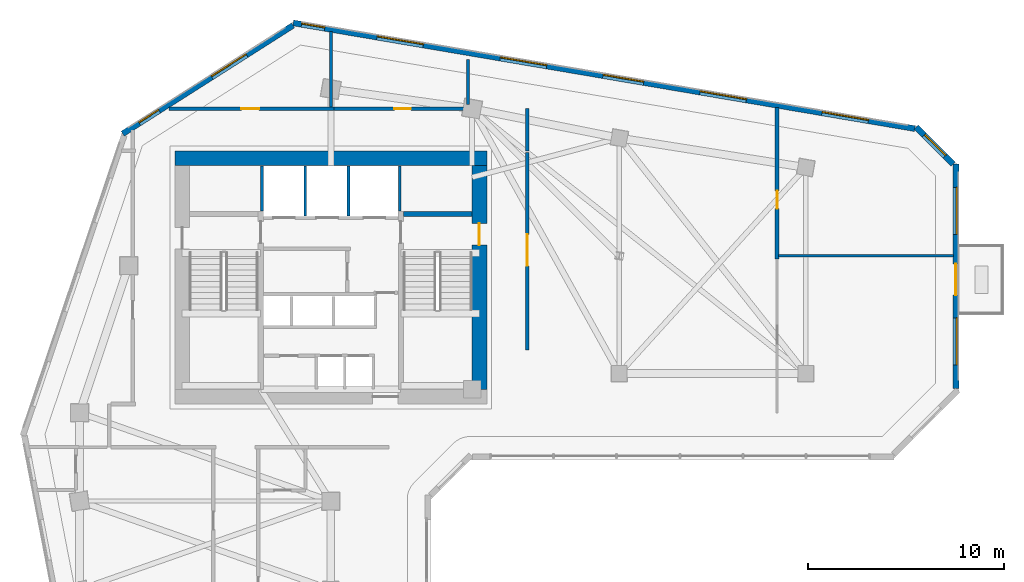
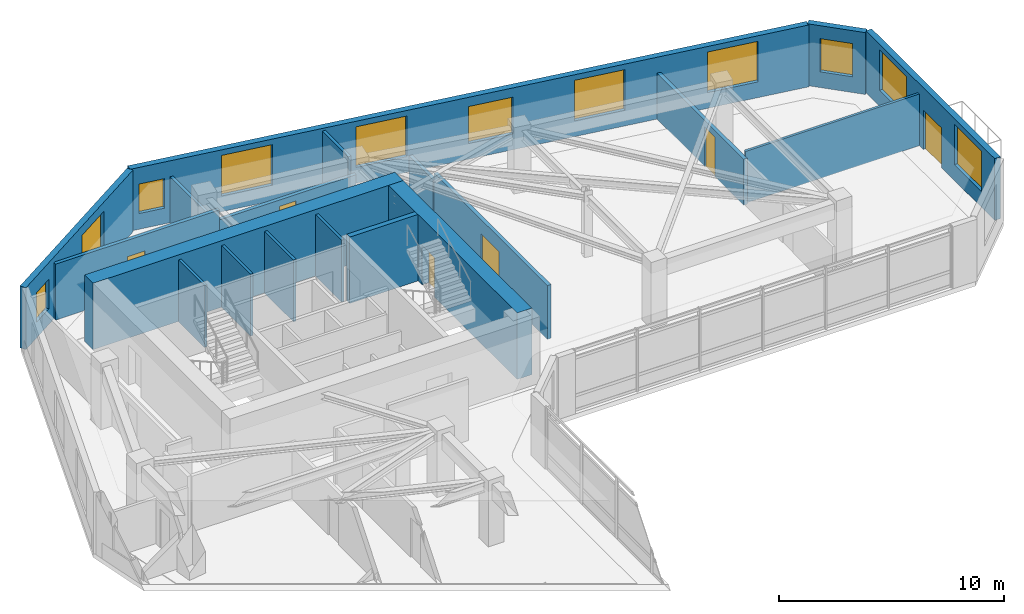
# One storey, part 7 of 13: 19 walls, 11 windows, 6 doors, 17 openings.
"""IFC4 building model written with IfcOpenShell, lengths in metres."""

from ifc_helpers import new_model, si_unit, direction, frame, frame_2d, origin, place, context, subcontext, project, spatial, rectangle, extrude, source, transform, mapped, material, layer, layer_set, type_object, element, fill, save


model = new_model("IFC4")

# Units and contexts
model_context = context("Model", 3, precision=1e-05, world=origin(), true_north=direction((0.0, 1.0)))
body_context = subcontext(model_context, "Body", "Model", "MODEL_VIEW")
ifc_project = project(units=[si_unit("LENGTHUNIT", "METRE"), si_unit("AREAUNIT", "SQUARE_METRE"), si_unit("VOLUMEUNIT", "CUBIC_METRE"), si_unit("PLANEANGLEUNIT", "RADIAN"), si_unit("MASSUNIT", "GRAM", prefix="KILO")], contexts=[model_context])

# Site, building, storey
site_placement = place(None, origin())
site = spatial("IfcSite", under=ifc_project, at=site_placement, CompositionType="ELEMENT")
building_placement = place(site_placement, origin())
building = spatial("IfcBuilding", under=site, at=building_placement, Name="Calvemar Wedge Station Tower", CompositionType="ELEMENT")
storey_placement = place(building_placement, frame((0.0, 0.0, 132.199951171875)))
storey = spatial("IfcBuildingStorey", under=building, at=storey_placement, Name="L32", CompositionType="ELEMENT", Elevation=132.199951171875)

# Walls
ifc_material_1 = material(Name="Concrete C50", Category="concrete")
ifc_layer_1 = layer(ifc_material_1, 0.260009765625)
ifc_layer_set_1 = layer_set([ifc_layer_1], Name="Concrete C50")
wall_type_1 = type_object("IfcWallType", Name="SW-CORE-260", PredefinedType="SHEAR", material=ifc_layer_set_1)
wall_1_placement = place(storey_placement, frame((27.5, 43.1298828125, 0.0), z_axis=(0.0, 0.0, 1.0), x_axis=(1.0, 0.0, 0.0)))
element("IfcWall", 1, at=wall_1_placement, inside=storey, type_object=wall_type_1, Name="Storey L32 Core Shear Wall STC2-N", PredefinedType="SHEAR", context=body_context, shape_type="SweptSolid", body=[
    extrude(rectangle(XDim=3.5, YDim=0.260009765625, at=frame_2d((1.75, 0.0))), origin(), (0.0, 0.0, 1.0), 3.60009765625),
])
ifc_material_2 = material(Name="Concrete C70", Category="concrete")
ifc_layer_2 = layer(ifc_material_2, 0.75)
ifc_layer_set_2 = layer_set([ifc_layer_2], Name="Concrete C70")
wall_type_2 = type_object("IfcWallType", Name="SW-CORE-750", PredefinedType="SHEAR", material=ifc_layer_set_2)
wall_2_placement = place(storey_placement, frame((15.85009765625, 45.97509765625, 0.0), z_axis=(0.0, 0.0, 1.0), x_axis=(1.0, 0.0, 0.0)))
element("IfcWall", 2, at=wall_2_placement, inside=storey, type_object=wall_type_2, Name="Storey L32 Core Shear Wall N", PredefinedType="SHEAR", context=body_context, shape_type="SweptSolid", body=[
    extrude(rectangle(XDim=15.89990234375, YDim=0.75, at=frame_2d((7.949951171875, 0.0))), origin(), (0.0, 0.0, 1.0), 3.60009765625),
])

# Wall, opening, door
wall_3_placement = place(storey_placement, frame((31.375, 34.199951171875, 0.0), z_axis=(0.0, 0.0, 1.0), x_axis=(0.0, 1.0, 0.0)))
wall_3 = element("IfcWall", 3, at=wall_3_placement, inside=storey, type_object=wall_type_2, Name="Storey L32 Core Shear Wall E", PredefinedType="SHEAR", context=body_context, shape_type="SweptSolid", body=[
    extrude(rectangle(XDim=11.400146484375, YDim=0.75, at=frame_2d((5.7001953125, 0.0))), origin(), (0.0, 0.0, 1.0), 3.60009765625),
])
shared_shape_1 = source(origin(), body_context, "Body", "SweptSolid", [
    extrude(rectangle(XDim=1.10009765625, YDim=2.14990234375, at=frame_2d((0.550048828125, 1.074951171875))), frame((0.0, 0.385009765625, 0.0), z_axis=(0.0, -1.0, 0.0), x_axis=(1.0, 0.0, 0.0)), (0.0, 0.0, 1.0), 0.77001953125),
])
opening_1_placement = place(wall_3_placement, frame((7.35009765625, 0.0, 0.0)))
opening_1 = element("IfcOpeningElement", 4, at=opening_1_placement, cuts=wall_3, Name="Opening FD-90", PredefinedType="OPENING", context=body_context, shape_type="MappedRepresentation", body=[
    mapped(shared_shape_1, transform((0.0, 0.0, 0.0), scale=1.0)),
])
ifc_material_3 = material(Name="Galvanized fire-rated steel door leaf P-90", Category="steel")
door_type_1 = type_object("IfcDoorType", Name="DR-FD90-1100", OperationType="NOTDEFINED", PredefinedType="DOOR", material=ifc_material_3)
shared_shape_2 = source(origin(), body_context, "Body", "SweptSolid", [
    extrude(rectangle(XDim=1.10009765625, YDim=2.14990234375, at=frame_2d((0.550048828125, 1.074951171875))), frame((0.0, 0.02490234375, 0.0), z_axis=(0.0, -1.0, 0.0), x_axis=(1.0, 0.0, 0.0)), (0.0, 0.0, 1.0), 0.050048828125),
])
door_1_placement = place(opening_1_placement, origin())
door_1 = element("IfcDoor", 5, at=door_1_placement, inside=storey, type_object=door_type_1, Name="L32 East Corridor to Exit Stair ST-C2 Door", OperationType="SINGLE_SWING_RIGHT", OverallHeight=2.14990234375, OverallWidth=1.10009765625, PredefinedType="DOOR", context=body_context, shape_type="MappedRepresentation", body=[
    mapped(shared_shape_2, transform((0.0, 0.0, 0.0), scale=1.0)),
])
fill(opening_1, door_1)

ifc_material_4 = material(Name="Double-stud fire-rated corridor partition")
ifc_layer_3 = layer(ifc_material_4, 0.179931640625)
ifc_layer_set_3 = layer_set([ifc_layer_3], Name="Double-stud fire-rated corridor partition")
wall_type_3 = type_object("IfcWallType", Name="W-CORR-180", PredefinedType="PARTITIONING", material=ifc_layer_set_3)
wall_4_placement = place(storey_placement, frame((15.552490234375, 48.5, 0.0), z_axis=(0.0, 0.0, 1.0), x_axis=(1.0, 0.0, 0.0)))
wall_4 = element("IfcWall", 6, at=wall_4_placement, inside=storey, type_object=wall_type_3, Name="Storey L32 Interior Partition WL-L32-012", PredefinedType="PARTITIONING", context=body_context, shape_type="SweptSolid", body=[
    extrude(rectangle(XDim=8.407470703125, YDim=0.179931640625, at=frame_2d((4.20361328125, 0.0))), origin(), (0.0, 0.0, 1.0), 3.033935546875),
])
shared_shape_3 = source(origin(), body_context, "Body", "SweptSolid", [
    extrude(rectangle(XDim=0.89990234375, YDim=2.14990234375, at=frame_2d((0.449951171875, 1.074951171875))), frame((0.0, 0.10009765625, 0.0), z_axis=(0.0, -1.0, 0.0), x_axis=(1.0, 0.0, 0.0)), (0.0, 0.0, 1.0), 0.199951171875),
])
opening_2_placement = place(wall_4_placement, frame((3.69287109375, 0.0, 0.0)))
opening_2 = element("IfcOpeningElement", 7, at=opening_2_placement, cuts=wall_4, Name="Opening D-01", PredefinedType="OPENING", context=body_context, shape_type="MappedRepresentation", body=[
    mapped(shared_shape_3, transform((0.0, 0.0, 0.0), scale=1.0)),
])
ifc_material_5 = material(Name="Architectural hardwood acoustic swing door", Category="wood")
door_type_2 = type_object("IfcDoorType", Name="DR-INT-900", OperationType="NOTDEFINED", PredefinedType="DOOR", material=ifc_material_5)
shared_shape_4 = source(origin(), body_context, "Body", "SweptSolid", [
    extrude(rectangle(XDim=0.89990234375, YDim=2.14990234375, at=frame_2d((0.449951171875, 1.074951171875))), frame((0.0, 0.02490234375, 0.0), z_axis=(0.0, -1.0, 0.0), x_axis=(1.0, 0.0, 0.0)), (0.0, 0.0, 1.0), 0.050048828125),
])
door_2_placement = place(opening_2_placement, origin())
door_2 = element("IfcDoor", 8, at=door_2_placement, inside=storey, type_object=door_type_2, Name="L32 Guest Pantry Door", OperationType="SINGLE_SWING_LEFT", OverallHeight=2.14990234375, OverallWidth=0.89990234375, PredefinedType="DOOR", context=body_context, shape_type="MappedRepresentation", body=[
    mapped(shared_shape_4, transform((0.0, 0.0, 0.0), scale=1.0)),
])
fill(opening_2, door_2)

wall_5_placement = place(storey_placement, frame((23.9619140625, 48.5, 0.0), z_axis=(0.0, 0.0, 1.0), x_axis=(1.0, 0.0, 0.0)))
wall_5 = element("IfcWall", 9, at=wall_5_placement, inside=storey, type_object=wall_type_3, Name="Storey L32 Interior Partition WL-L32-013", PredefinedType="PARTITIONING", context=body_context, shape_type="SweptSolid", body=[
    extrude(rectangle(XDim=6.998046875, YDim=0.179931640625, at=frame_2d((3.4990234375, 0.0))), origin(), (0.0, 0.0, 1.0), 2.491943359375),
])
shared_shape_5 = source(origin(), body_context, "Body", "SweptSolid", [
    extrude(rectangle(XDim=0.85009765625, YDim=2.14990234375, at=frame_2d((0.425048828125, 1.074951171875))), frame((0.0, 0.10009765625, 0.0), z_axis=(0.0, -1.0, 0.0), x_axis=(1.0, 0.0, 0.0)), (0.0, 0.0, 1.0), 0.199951171875),
])
opening_3_placement = place(wall_5_placement, frame((3.073974609375, 0.0, 0.0)))
opening_3 = element("IfcOpeningElement", 10, at=opening_3_placement, cuts=wall_5, Name="Opening D-02", PredefinedType="OPENING", context=body_context, shape_type="MappedRepresentation", body=[
    mapped(shared_shape_5, transform((0.0, 0.0, 0.0), scale=1.0)),
])
ifc_material_6 = material(Name="Moisture-sealed bathroom hardwood swing door", Category="wood")
door_type_3 = type_object("IfcDoorType", Name="DR-WET-850", OperationType="NOTDEFINED", PredefinedType="DOOR", material=ifc_material_6)
shared_shape_6 = source(origin(), body_context, "Body", "SweptSolid", [
    extrude(rectangle(XDim=0.85009765625, YDim=2.14990234375, at=frame_2d((0.425048828125, 1.074951171875))), frame((0.0, 0.02490234375, 0.0), z_axis=(0.0, -1.0, 0.0), x_axis=(1.0, 0.0, 0.0)), (0.0, 0.0, 1.0), 0.050048828125),
])
door_3_placement = place(opening_3_placement, origin())
door_3 = element("IfcDoor", 11, at=door_3_placement, inside=storey, type_object=door_type_3, Name="L32 Accessible WC Door", OperationType="SINGLE_SWING_RIGHT", OverallHeight=2.14990234375, OverallWidth=0.85009765625, PredefinedType="DOOR", context=body_context, shape_type="MappedRepresentation", body=[
    mapped(shared_shape_6, transform((0.0, 0.0, 0.0), scale=1.0)),
])
fill(opening_3, door_3)

# Wall
wall_6_placement = place(storey_placement, frame((33.800048828125, 48.5, 0.0), z_axis=(0.0, 0.0, 1.0), x_axis=(0.0, -1.0, 0.0)))
element("IfcWall", 12, at=wall_6_placement, inside=storey, type_object=wall_type_3, Name="Storey L32 Interior Partition WL-L32-014", PredefinedType="PARTITIONING", context=body_context, shape_type="SweptSolid", body=[
    extrude(rectangle(XDim=2.14990234375, YDim=0.179931640625, at=frame_2d((1.074951171875, 0.0))), origin(), (0.0, 0.0, 1.0), 2.491943359375),
])

# Wall, opening, door
wall_7_placement = place(storey_placement, frame((33.800048828125, 46.256103515625, 0.0), z_axis=(0.0, 0.0, 1.0), x_axis=(0.0, -1.0, 0.0)))
wall_7 = element("IfcWall", 13, at=wall_7_placement, inside=storey, type_object=wall_type_3, Name="Storey L32 Interior Partition WL-L32-015", PredefinedType="PARTITIONING", context=body_context, shape_type="SweptSolid", body=[
    extrude(rectangle(XDim=10.05615234375, YDim=0.179931640625, at=frame_2d((5.028076171875, 0.0))), origin(), (0.0, 0.0, 1.0), 2.922119140625),
])
shared_shape_7 = source(origin(), body_context, "Body", "SweptSolid", [
    extrude(rectangle(XDim=1.60009765625, YDim=2.14990234375, at=frame_2d((0.800048828125, 1.074951171875))), frame((0.0, 0.10009765625, 0.0), z_axis=(0.0, -1.0, 0.0), x_axis=(1.0, 0.0, 0.0)), (0.0, 0.0, 1.0), 0.199951171875),
])
opening_4_placement = place(wall_7_placement, frame((4.167236328125, 0.0, 0.0)))
opening_4 = element("IfcOpeningElement", 14, at=opening_4_placement, cuts=wall_7, Name="Opening DD-160", PredefinedType="OPENING", context=body_context, shape_type="MappedRepresentation", body=[
    mapped(shared_shape_7, transform((0.0, 0.0, 0.0), scale=1.0)),
])
ifc_material_7 = material(Name="Double-leaf fire-rated lobby door EI 60")
door_type_4 = type_object("IfcDoorType", Name="DR-DBL-1600", OperationType="DOUBLE_DOOR_SINGLE_SWING", PredefinedType="DOOR", material=ifc_material_7)
shared_shape_8 = source(origin(), body_context, "Body", "SweptSolid", [
    extrude(rectangle(XDim=1.60009765625, YDim=2.14990234375, at=frame_2d((0.800048828125, 1.074951171875))), frame((0.0, 0.02490234375, 0.0), z_axis=(0.0, -1.0, 0.0), x_axis=(1.0, 0.0, 0.0)), (0.0, 0.0, 1.0), 0.050048828125),
])
door_4_placement = place(opening_4_placement, origin())
door_4 = element("IfcDoor", 15, at=door_4_placement, inside=storey, type_object=door_type_4, Name="L32 Hotel Conference Banquet Hall Door", OperationType="SINGLE_SWING_LEFT", OverallHeight=2.14990234375, OverallWidth=1.60009765625, PredefinedType="DOOR", context=body_context, shape_type="MappedRepresentation", body=[
    mapped(shared_shape_8, transform((0.0, 0.0, 0.0), scale=1.0)),
])
fill(opening_4, door_4)

wall_8_placement = place(storey_placement, frame((46.534912109375, 48.55859375, 0.0), z_axis=(0.0, 0.0, 1.0), x_axis=(0.0, -1.0, 0.0)))
wall_8 = element("IfcWall", 16, at=wall_8_placement, inside=storey, type_object=wall_type_3, Name="Storey L32 Interior Partition WL-L32-019", PredefinedType="PARTITIONING", context=body_context, shape_type="SweptSolid", body=[
    extrude(rectangle(XDim=7.718505859375, YDim=0.179931640625, at=frame_2d((3.859375, 0.0))), origin(), (0.0, 0.0, 1.0), 2.491943359375),
])
opening_5_placement = place(wall_8_placement, frame((4.251953125, 0.0, 0.0)))
opening_5 = element("IfcOpeningElement", 17, at=opening_5_placement, cuts=wall_8, Name="Opening FD-60", PredefinedType="OPENING", context=body_context, shape_type="MappedRepresentation", body=[
    mapped(shared_shape_3, transform((0.0, 0.0, 0.0), scale=1.0)),
])
ifc_material_8 = material(Name="Fire-rated acoustic timber-core entrance door EI 60", Category="wood")
door_type_5 = type_object("IfcDoorType", Name="DR-FD60-900", OperationType="NOTDEFINED", PredefinedType="DOOR", material=ifc_material_8)
shared_shape_9 = source(origin(), body_context, "Body", "SweptSolid", [
    extrude(rectangle(XDim=0.89990234375, YDim=2.14990234375, at=frame_2d((0.449951171875, 1.074951171875))), frame((0.0, 0.02490234375, 0.0), z_axis=(0.0, -1.0, 0.0), x_axis=(1.0, 0.0, 0.0)), (0.0, 0.0, 1.0), 0.050048828125),
])
door_5_placement = place(opening_5_placement, origin())
door_5 = element("IfcDoor", 18, at=door_5_placement, inside=storey, type_object=door_type_5, Name="L32 Banquet Service Kitchen Door", OperationType="SINGLE_SWING_RIGHT", OverallHeight=2.14990234375, OverallWidth=0.89990234375, PredefinedType="DOOR", context=body_context, shape_type="MappedRepresentation", body=[
    mapped(shared_shape_9, transform((0.0, 0.0, 0.0), scale=1.0)),
])
fill(opening_5, door_5)

# Wall, openings, windows, door
ifc_material_9 = material(Name="Precast concrete C45", Category="concrete")
ifc_layer_4 = layer(ifc_material_9, 0.300048828125)
ifc_layer_set_4 = layer_set([ifc_layer_4], Name="Precast concrete C45")
wall_type_4 = type_object("IfcWallType", Name="W-EXT-GFRC-300", PredefinedType="SOLIDWALL", material=ifc_layer_set_4)
wall_9_placement = place(storey_placement, frame((55.64990234375, 34.249267578125, 0.0), z_axis=(0.0, 0.0, 1.0), x_axis=(0.0, 1.0, 0.0)))
wall_9 = element("IfcWall", 19, at=wall_9_placement, inside=storey, type_object=wall_type_4, Name="Storey L32 Bronze GFRC Exterior Wall 8", PredefinedType="SOLIDWALL", context=body_context, shape_type="SweptSolid", body=[
    extrude(rectangle(XDim=11.4306640625, YDim=0.300048828125, at=frame_2d((5.71533203125, 0.0))), origin(), (0.0, 0.0, 1.0), 3.35009765625),
])
shared_shape_10 = source(origin(), body_context, "Body", "SweptSolid", [
    extrude(rectangle(XDim=1.60009765625, YDim=2.14990234375, at=frame_2d((0.800048828125, 1.074951171875))), frame((0.0, 0.16015625, 0.0), z_axis=(0.0, -1.0, 0.0), x_axis=(1.0, 0.0, 0.0)), (0.0, 0.0, 1.0), 0.320068359375),
])
opening_6_placement = place(wall_9_placement, frame((4.742919921875, 0.0, 0.0)))
opening_6 = element("IfcOpeningElement", 20, at=opening_6_placement, cuts=wall_9, Name="Opening DT1", PredefinedType="OPENING", context=body_context, shape_type="MappedRepresentation", body=[
    mapped(shared_shape_10, transform((0.0, 0.0, 0.0), scale=1.0)),
])
shared_shape_11 = source(origin(), body_context, "Body", "SweptSolid", [
    extrude(rectangle(XDim=2.39990234375, YDim=2.199951171875, at=frame_2d((1.199951171875, 1.10009765625))), frame((0.0, 0.16015625, 0.0), z_axis=(0.0, -1.0, 0.0), x_axis=(1.0, 0.0, 0.0)), (0.0, 0.0, 1.0), 0.320068359375),
])
opening_7_placement = place(wall_9_placement, frame((1.19189453125, 0.0, 0.85009765625)))
opening_7 = element("IfcOpeningElement", 21, at=opening_7_placement, cuts=wall_9, Name="Opening W1", PredefinedType="OPENING", context=body_context, shape_type="MappedRepresentation", body=[
    mapped(shared_shape_11, transform((0.0, 0.0, 0.0), scale=1.0)),
])
opening_8_placement = place(wall_9_placement, frame((7.841064453125, 0.0, 0.85009765625)))
opening_8 = element("IfcOpeningElement", 22, at=opening_8_placement, cuts=wall_9, Name="Opening W1", PredefinedType="OPENING", context=body_context, shape_type="MappedRepresentation", body=[
    mapped(shared_shape_11, transform((0.0, 0.0, 0.0), scale=1.0)),
])
ifc_material_10 = material(Name="Low-E laminated insulated glass", Category="glass")
window_type_1 = type_object("IfcWindowType", Name="WIN-EXT-1", PartitioningType="SINGLE_PANEL", PredefinedType="WINDOW", material=ifc_material_10)
shared_shape_12 = source(origin(), body_context, "Body", "SweptSolid", [
    extrude(rectangle(XDim=2.39990234375, YDim=2.199951171875, at=frame_2d((1.199951171875, 1.10009765625))), frame((0.0, -0.014892578125, 0.0), z_axis=(0.0, -1.0, 0.0), x_axis=(1.0, 0.0, 0.0)), (0.0, 0.0, 1.0), 0.06005859375),
])
window_1_placement = place(opening_7_placement, origin())
window_1 = element("IfcWindow", 23, at=window_1_placement, inside=storey, type_object=window_type_1, Name="Storey L32 Recessed Window 8.1", OverallHeight=2.199951171875, OverallWidth=2.39990234375, PartitioningType="SINGLE_PANEL", PredefinedType="WINDOW", context=body_context, shape_type="MappedRepresentation", body=[
    mapped(shared_shape_12, transform((0.0, 0.0, 0.0), scale=1.0)),
])
fill(opening_7, window_1)
window_2_placement = place(opening_8_placement, origin())
window_2 = element("IfcWindow", 24, at=window_2_placement, inside=storey, type_object=window_type_1, Name="Storey L32 Recessed Window 8.2", OverallHeight=2.199951171875, OverallWidth=2.39990234375, PartitioningType="SINGLE_PANEL", PredefinedType="WINDOW", context=body_context, shape_type="MappedRepresentation", body=[
    mapped(shared_shape_12, transform((0.0, 0.0, 0.0), scale=1.0)),
])
fill(opening_8, window_2)
ifc_material_11 = material(Name="Anodised aluminium 6063-T6", Category="aluminium")
door_type_6 = type_object("IfcDoorType", Name="DR-TERR-1600", OperationType="DOUBLE_DOOR_SLIDING", PredefinedType="DOOR", material=ifc_material_11)
shared_shape_13 = source(origin(), body_context, "Body", "SweptSolid", [
    extrude(rectangle(XDim=1.60009765625, YDim=2.14990234375, at=frame_2d((0.800048828125, 1.074951171875))), frame((0.0, 0.02490234375, 0.0), z_axis=(0.0, -1.0, 0.0), x_axis=(1.0, 0.0, 0.0)), (0.0, 0.0, 1.0), 0.050048828125),
])
door_6_placement = place(opening_6_placement, origin())
door_6 = element("IfcDoor", 25, at=door_6_placement, inside=storey, type_object=door_type_6, Name="Storey L32 Spiral Terrace Door", OperationType="DOUBLE_DOOR_SLIDING", OverallHeight=2.14990234375, OverallWidth=1.60009765625, PredefinedType="DOOR", context=body_context, shape_type="MappedRepresentation", body=[
    mapped(shared_shape_13, transform((0.0, 0.0, 0.0), scale=1.0)),
])
fill(opening_6, door_6)

# Wall, opening, window
wall_10_placement = place(storey_placement, frame((55.511962890625, 45.66796875, 0.0), z_axis=(0.0, 0.0, 1.0), x_axis=(-0.707152443695, 0.707061115729, 0.0)))
wall_10 = element("IfcWall", 26, at=wall_10_placement, inside=storey, type_object=wall_type_4, Name="Storey L32 Bronze GFRC Exterior Wall 9", PredefinedType="SOLIDWALL", context=body_context, shape_type="SweptSolid", body=[
    extrude(rectangle(XDim=2.67333984375, YDim=0.300048828125, at=frame_2d((1.336669921875, 0.0))), origin(), (0.0, 0.0, 1.0), 3.35009765625),
])
shared_shape_14 = source(origin(), body_context, "Body", "SweptSolid", [
    extrude(rectangle(XDim=1.5, YDim=1.800048828125, at=frame_2d((0.75, 0.89990234375))), frame((0.0, 0.16015625, 0.0), z_axis=(0.0, -1.0, 0.0), x_axis=(1.0, 0.0, 0.0)), (0.0, 0.0, 1.0), 0.320068359375),
])
opening_9_placement = place(wall_10_placement, frame((0.5869140625, 0.0, 0.85009765625)))
opening_9 = element("IfcOpeningElement", 27, at=opening_9_placement, cuts=wall_10, Name="Opening W3", PredefinedType="OPENING", context=body_context, shape_type="MappedRepresentation", body=[
    mapped(shared_shape_14, transform((0.0, 0.0, 0.0), scale=1.0)),
])
window_type_2 = type_object("IfcWindowType", Name="WIN-EXT-3", PartitioningType="SINGLE_PANEL", PredefinedType="WINDOW", material=ifc_material_10)
shared_shape_15 = source(origin(), body_context, "Body", "SweptSolid", [
    extrude(rectangle(XDim=1.5, YDim=1.800048828125, at=frame_2d((0.75, 0.89990234375))), frame((0.0, -0.014892578125, 0.0), z_axis=(0.0, -1.0, 0.0), x_axis=(1.0, 0.0, 0.0)), (0.0, 0.0, 1.0), 0.06005859375),
])
window_3_placement = place(opening_9_placement, origin())
window_3 = element("IfcWindow", 28, at=window_3_placement, inside=storey, type_object=window_type_2, Name="Storey L32 Recessed Window 9.1", OverallHeight=1.800048828125, OverallWidth=1.5, PartitioningType="SINGLE_PANEL", PredefinedType="WINDOW", context=body_context, shape_type="MappedRepresentation", body=[
    mapped(shared_shape_15, transform((0.0, 0.0, 0.0), scale=1.0)),
])
fill(opening_9, window_3)

# Wall, openings, windows
wall_11_placement = place(storey_placement, frame((53.56103515625, 47.48046875, 0.0), z_axis=(0.0, 0.0, 1.0), x_axis=(-0.985845173895, 0.167658262868, 0.0)))
wall_11 = element("IfcWall", 29, at=wall_11_placement, inside=storey, type_object=wall_type_4, Name="Storey L32 Bronze GFRC Exterior Wall 10", PredefinedType="SOLIDWALL", context=body_context, shape_type="SweptSolid", body=[
    extrude(rectangle(XDim=32.132080078125, YDim=0.300048828125, at=frame_2d((16.06591796875, 0.0))), origin(), (0.0, 0.0, 1.0), 3.35009765625),
])
opening_10_placement = place(wall_11_placement, frame((2.404052734375, 0.0, 0.85009765625)))
opening_10 = element("IfcOpeningElement", 30, at=opening_10_placement, cuts=wall_11, Name="Opening W1", PredefinedType="OPENING", context=body_context, shape_type="MappedRepresentation", body=[
    mapped(shared_shape_11, transform((0.0, 0.0, 0.0), scale=1.0)),
])
opening_11_placement = place(wall_11_placement, frame((8.7080078125, 0.0, 0.85009765625)))
opening_11 = element("IfcOpeningElement", 31, at=opening_11_placement, cuts=wall_11, Name="Opening W1", PredefinedType="OPENING", context=body_context, shape_type="MappedRepresentation", body=[
    mapped(shared_shape_11, transform((0.0, 0.0, 0.0), scale=1.0)),
])
shared_shape_16 = source(origin(), body_context, "Body", "SweptSolid", [
    extrude(rectangle(XDim=2.10009765625, YDim=2.0, at=frame_2d((1.050048828125, 1.0))), frame((0.0, 0.16015625, 0.0), z_axis=(0.0, -1.0, 0.0), x_axis=(1.0, 0.0, 0.0)), (0.0, 0.0, 1.0), 0.320068359375),
])
opening_12_placement = place(wall_11_placement, frame((14.01904296875, 0.0, 0.85009765625)))
opening_12 = element("IfcOpeningElement", 32, at=opening_12_placement, cuts=wall_11, Name="Opening W4", PredefinedType="OPENING", context=body_context, shape_type="MappedRepresentation", body=[
    mapped(shared_shape_16, transform((0.0, 0.0, 0.0), scale=1.0)),
])
opening_13_placement = place(wall_11_placement, frame((19.030029296875, 0.0, 0.85009765625)))
opening_13 = element("IfcOpeningElement", 33, at=opening_13_placement, cuts=wall_11, Name="Opening W1", PredefinedType="OPENING", context=body_context, shape_type="MappedRepresentation", body=[
    mapped(shared_shape_11, transform((0.0, 0.0, 0.0), scale=1.0)),
])
opening_14_placement = place(wall_11_placement, frame((25.39990234375, 0.0, 0.85009765625)))
opening_14 = element("IfcOpeningElement", 34, at=opening_14_placement, cuts=wall_11, Name="Opening W1", PredefinedType="OPENING", context=body_context, shape_type="MappedRepresentation", body=[
    mapped(shared_shape_11, transform((0.0, 0.0, 0.0), scale=1.0)),
])
shared_shape_17 = source(origin(), body_context, "Body", "SweptSolid", [
    extrude(rectangle(XDim=1.199951171875, YDim=1.60009765625, at=frame_2d((0.60009765625, 0.800048828125))), frame((0.0, 0.16015625, 0.0), z_axis=(0.0, -1.0, 0.0), x_axis=(1.0, 0.0, 0.0)), (0.0, 0.0, 1.0), 0.320068359375),
])
opening_15_placement = place(wall_11_placement, frame((30.5, 0.0, 0.85009765625)))
opening_15 = element("IfcOpeningElement", 35, at=opening_15_placement, cuts=wall_11, Name="Opening W5", PredefinedType="OPENING", context=body_context, shape_type="MappedRepresentation", body=[
    mapped(shared_shape_17, transform((0.0, 0.0, 0.0), scale=1.0)),
])
window_type_3 = type_object("IfcWindowType", Name="WIN-EXT-4", PartitioningType="SINGLE_PANEL", PredefinedType="WINDOW", material=ifc_material_10)
shared_shape_18 = source(origin(), body_context, "Body", "SweptSolid", [
    extrude(rectangle(XDim=2.10009765625, YDim=2.0, at=frame_2d((1.050048828125, 1.0))), frame((0.0, -0.014892578125, 0.0), z_axis=(0.0, -1.0, 0.0), x_axis=(1.0, 0.0, 0.0)), (0.0, 0.0, 1.0), 0.06005859375),
])
window_4_placement = place(opening_12_placement, origin())
window_4 = element("IfcWindow", 36, at=window_4_placement, inside=storey, type_object=window_type_3, Name="Storey L32 Recessed Window 10.3", OverallHeight=2.0, OverallWidth=2.10009765625, PartitioningType="SINGLE_PANEL", PredefinedType="WINDOW", context=body_context, shape_type="MappedRepresentation", body=[
    mapped(shared_shape_18, transform((0.0, 0.0, 0.0), scale=1.0)),
])
fill(opening_12, window_4)
window_5_placement = place(opening_10_placement, origin())
window_5 = element("IfcWindow", 37, at=window_5_placement, inside=storey, type_object=window_type_1, Name="Storey L32 Recessed Window 10.1", OverallHeight=2.199951171875, OverallWidth=2.39990234375, PartitioningType="SINGLE_PANEL", PredefinedType="WINDOW", context=body_context, shape_type="MappedRepresentation", body=[
    mapped(shared_shape_12, transform((0.0, 0.0, 0.0), scale=1.0)),
])
fill(opening_10, window_5)
window_6_placement = place(opening_11_placement, origin())
window_6 = element("IfcWindow", 38, at=window_6_placement, inside=storey, type_object=window_type_1, Name="Storey L32 Recessed Window 10.2", OverallHeight=2.199951171875, OverallWidth=2.39990234375, PartitioningType="SINGLE_PANEL", PredefinedType="WINDOW", context=body_context, shape_type="MappedRepresentation", body=[
    mapped(shared_shape_12, transform((0.0, 0.0, 0.0), scale=1.0)),
])
fill(opening_11, window_6)
window_7_placement = place(opening_13_placement, origin())
window_7 = element("IfcWindow", 39, at=window_7_placement, inside=storey, type_object=window_type_1, Name="Storey L32 Recessed Window 10.4", OverallHeight=2.199951171875, OverallWidth=2.39990234375, PartitioningType="SINGLE_PANEL", PredefinedType="WINDOW", context=body_context, shape_type="MappedRepresentation", body=[
    mapped(shared_shape_12, transform((0.0, 0.0, 0.0), scale=1.0)),
])
fill(opening_13, window_7)
window_8_placement = place(opening_14_placement, origin())
window_8 = element("IfcWindow", 40, at=window_8_placement, inside=storey, type_object=window_type_1, Name="Storey L32 Recessed Window 10.5", OverallHeight=2.199951171875, OverallWidth=2.39990234375, PartitioningType="SINGLE_PANEL", PredefinedType="WINDOW", context=body_context, shape_type="MappedRepresentation", body=[
    mapped(shared_shape_12, transform((0.0, 0.0, 0.0), scale=1.0)),
])
fill(opening_14, window_8)
window_type_4 = type_object("IfcWindowType", Name="WIN-EXT-5", PartitioningType="SINGLE_PANEL", PredefinedType="WINDOW", material=ifc_material_10)
shared_shape_19 = source(origin(), body_context, "Body", "SweptSolid", [
    extrude(rectangle(XDim=1.199951171875, YDim=1.60009765625, at=frame_2d((0.60009765625, 0.800048828125))), frame((0.0, -0.014892578125, 0.0), z_axis=(0.0, -1.0, 0.0), x_axis=(1.0, 0.0, 0.0)), (0.0, 0.0, 1.0), 0.06005859375),
])
window_9_placement = place(opening_15_placement, origin())
window_9 = element("IfcWindow", 41, at=window_9_placement, inside=storey, type_object=window_type_4, Name="Storey L32 Recessed Window 10.6", OverallHeight=1.60009765625, OverallWidth=1.199951171875, PartitioningType="SINGLE_PANEL", PredefinedType="WINDOW", context=body_context, shape_type="MappedRepresentation", body=[
    mapped(shared_shape_19, transform((0.0, 0.0, 0.0), scale=1.0)),
])
fill(opening_15, window_9)

wall_12_placement = place(storey_placement, frame((21.874755859375, 52.742431640625, 0.0), z_axis=(0.0, 0.0, 1.0), x_axis=(-0.843662465249, -0.536873956092, 0.0)))
wall_12 = element("IfcWall", 42, at=wall_12_placement, inside=storey, type_object=wall_type_4, Name="Storey L32 Bronze GFRC Exterior Wall 11", PredefinedType="SOLIDWALL", context=body_context, shape_type="SweptSolid", body=[
    extrude(rectangle(XDim=10.283935546875, YDim=0.300048828125, at=frame_2d((5.14208984375, 0.0))), origin(), (0.0, 0.0, 1.0), 3.35009765625),
])
opening_16_placement = place(wall_12_placement, frame((2.805908203125, 0.0, 0.85009765625)))
opening_16 = element("IfcOpeningElement", 43, at=opening_16_placement, cuts=wall_12, Name="Opening W4", PredefinedType="OPENING", context=body_context, shape_type="MappedRepresentation", body=[
    mapped(shared_shape_16, transform((0.0, 0.0, 0.0), scale=1.0)),
])
opening_17_placement = place(wall_12_placement, frame((8.0869140625, 0.0, 0.85009765625)))
opening_17 = element("IfcOpeningElement", 44, at=opening_17_placement, cuts=wall_12, Name="Opening W5", PredefinedType="OPENING", context=body_context, shape_type="MappedRepresentation", body=[
    mapped(shared_shape_17, transform((0.0, 0.0, 0.0), scale=1.0)),
])
window_10_placement = place(opening_16_placement, origin())
window_10 = element("IfcWindow", 45, at=window_10_placement, inside=storey, type_object=window_type_3, Name="Storey L32 Recessed Window 11.1", OverallHeight=2.0, OverallWidth=2.10009765625, PartitioningType="SINGLE_PANEL", PredefinedType="WINDOW", context=body_context, shape_type="MappedRepresentation", body=[
    mapped(shared_shape_18, transform((0.0, 0.0, 0.0), scale=1.0)),
])
fill(opening_16, window_10)
window_11_placement = place(opening_17_placement, origin())
window_11 = element("IfcWindow", 46, at=window_11_placement, inside=storey, type_object=window_type_4, Name="Storey L32 Recessed Window 11.2", OverallHeight=1.60009765625, OverallWidth=1.199951171875, PartitioningType="SINGLE_PANEL", PredefinedType="WINDOW", context=body_context, shape_type="MappedRepresentation", body=[
    mapped(shared_shape_19, transform((0.0, 0.0, 0.0), scale=1.0)),
])
fill(opening_17, window_11)

# Walls
ifc_material_12 = material(Name="Reinforced concrete blockwork lift shaft wall", Category="masonry")
ifc_layer_5 = layer(ifc_material_12, 0.139892578125)
ifc_layer_set_5 = layer_set([ifc_layer_5], Name="Reinforced concrete blockwork lift shaft wall")
wall_type_5 = type_object("IfcWallType", Name="W-LIFT-160", PredefinedType="SOLIDWALL", material=ifc_layer_set_5)
for number, where, z_axis, x_axis, name in (
    (47, (20.2900390625, 43.280029296875, 0.0), (0.0, 0.0, 1.0), (0.0, 1.0, 0.0), "Storey L32 Firefighting Lift Shaft Enclosure Wall W"),
    (48, (27.31005859375, 43.280029296875, 0.0), (0.0, 0.0, 1.0), (0.0, 1.0, 0.0), "Storey L32 Firefighting Lift Shaft Enclosure Wall E"),
):
    element("IfcWall", number, at=place(storey_placement, frame(where, z_axis=z_axis, x_axis=x_axis)), inside=storey, type_object=wall_type_5, Name=name, PredefinedType="SOLIDWALL", context=body_context, shape_type="SweptSolid", body=[
        extrude(rectangle(XDim=2.300048828125, YDim=0.139892578125, at=frame_2d((1.14990234375, 0.0))), origin(), (0.0, 0.0, 1.0), 3.35009765625),
    ])
for number, where, z_axis, x_axis, name in (
    (49, (22.5, 43.02001953125, 0.0), (0.0, 0.0, 1.0), (0.0, 1.0, 0.0), "Storey L32 Firefighting Lift Shaft Enclosure Wall D1"),
    (50, (24.699951171875, 43.02001953125, 0.0), (0.0, 0.0, 1.0), (0.0, 1.0, 0.0), "Storey L32 Firefighting Lift Shaft Enclosure Wall D2"),
):
    element("IfcWall", number, at=place(storey_placement, frame(where, z_axis=z_axis, x_axis=x_axis)), inside=storey, type_object=wall_type_5, Name=name, PredefinedType="SOLIDWALL", context=body_context, shape_type="SweptSolid", body=[
        extrude(rectangle(XDim=2.56005859375, YDim=0.139892578125, at=frame_2d((1.280029296875, 0.0))), origin(), (0.0, 0.0, 1.0), 3.35009765625),
    ])
ifc_material_13 = material(Name="Insulated acoustic gypsum stud partition")
ifc_layer_6 = layer(ifc_material_13, 0.125)
ifc_layer_set_6 = layer_set([ifc_layer_6], Name="Insulated acoustic gypsum stud partition")
wall_type_6 = type_object("IfcWallType", Name="W-PART-125", PredefinedType="PARTITIONING", material=ifc_layer_set_6)
wall_13_placement = place(storey_placement, frame((55.534912109375, 41.0, 0.0), z_axis=(0.0, 0.0, 1.0), x_axis=(-1.0, 0.0, 0.0)))
element("IfcWall", 51, at=wall_13_placement, inside=storey, type_object=wall_type_6, Name="Storey L32 Interior Partition WL-L32-021", PredefinedType="PARTITIONING", context=body_context, shape_type="SweptSolid", body=[
    extrude(rectangle(XDim=8.933349609375, YDim=0.125, at=frame_2d((4.466796875, 0.0))), origin(), (0.0, 0.0, 1.0), 2.802978515625),
])
ifc_material_14 = material(Name="Moisture-resistant acoustic bathroom partition")
ifc_layer_7 = layer(ifc_material_14, 0.14990234375)
ifc_layer_set_7 = layer_set([ifc_layer_7], Name="Moisture-resistant acoustic bathroom partition")
wall_type_7 = type_object("IfcWallType", Name="W-WET-150", PredefinedType="PARTITIONING", material=ifc_layer_set_7)
wall_14_placement = place(storey_placement, frame((23.800048828125, 52.425048828125, 0.0), z_axis=(0.0, 0.0, 1.0), x_axis=(0.0, -1.0, 0.0)))
element("IfcWall", 52, at=wall_14_placement, inside=storey, type_object=wall_type_7, Name="Storey L32 Interior Partition WL-L32-018", PredefinedType="PARTITIONING", context=body_context, shape_type="SweptSolid", body=[
    extrude(rectangle(XDim=3.8310546875, YDim=0.14990234375, at=frame_2d((1.91552734375, 0.0))), origin(), (0.0, 0.0, 1.0), 2.491943359375),
])
wall_15_placement = place(storey_placement, frame((30.800048828125, 51.011474609375, 0.0), z_axis=(0.0, 0.0, 1.0), x_axis=(0.0, -1.0, 0.0)))
element("IfcWall", 53, at=wall_15_placement, inside=storey, type_object=wall_type_7, Name="Storey L32 Bathroom Enclosure Wall WL-L32-036", PredefinedType="PARTITIONING", context=body_context, shape_type="SweptSolid", body=[
    extrude(rectangle(XDim=2.29150390625, YDim=0.14990234375, at=frame_2d((1.145751953125, 0.0))), origin(), (0.0, 0.0, 1.0), 3.35009765625),
])

save(model, "model.ifc")
